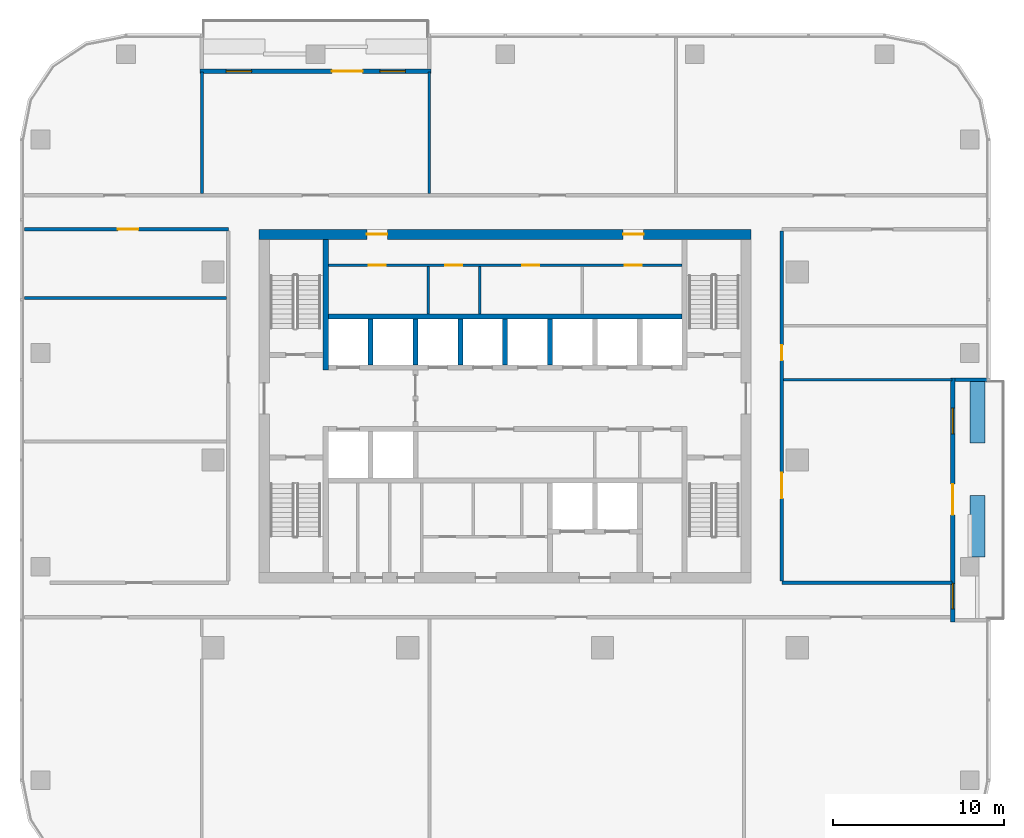
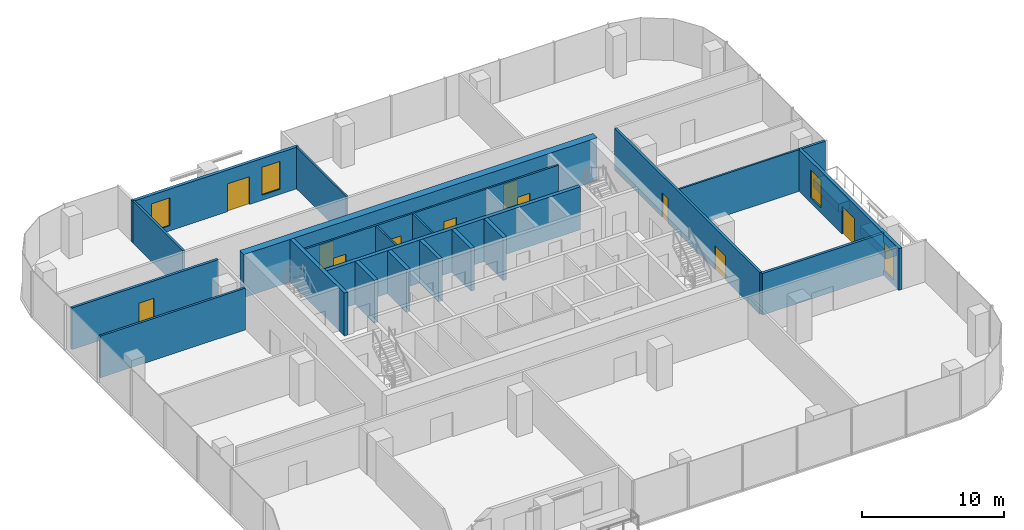
# One storey, part 9 of 14: 23 walls, 11 doors, 4 windows, 15 openings.
"""IFC4 building model written with IfcOpenShell, lengths in metres."""

from ifc_helpers import new_model, si_unit, direction, frame, frame_2d, origin, place, context, subcontext, project, spatial, rectangle, extrude, material, layer, layer_set, type_object, element, fill, save


model = new_model("IFC4")

# Units and contexts
model_context = context("Model", 3, precision=1e-05, world=origin(), true_north=direction((0.0, 1.0)))
body_context = subcontext(model_context, "Body", "Model", "MODEL_VIEW")
ifc_project = project(units=[si_unit("LENGTHUNIT", "METRE"), si_unit("AREAUNIT", "SQUARE_METRE"), si_unit("VOLUMEUNIT", "CUBIC_METRE"), si_unit("PLANEANGLEUNIT", "RADIAN"), si_unit("MASSUNIT", "GRAM", prefix="KILO")], contexts=[model_context])

# Site, building, storey
site_placement = place(None, origin())
site = spatial("IfcSite", under=ifc_project, at=site_placement, CompositionType="ELEMENT")
building_placement = place(site_placement, origin())
building = spatial("IfcBuilding", under=site, at=building_placement, Name="Mopane Tessera Tower", CompositionType="ELEMENT")
storey_placement = place(building_placement, frame((0.0, 0.0, 227.0)))
storey = spatial("IfcBuildingStorey", under=building, at=storey_placement, Name="L48", CompositionType="ELEMENT", Elevation=227.0)

# Walls
ifc_material_1 = material(Name="Fire-rated gypsum board partition")
ifc_layer_1 = layer(ifc_material_1, 0.14990234375)
ifc_layer_set_1 = layer_set([ifc_layer_1], Name="Fire-rated gypsum board partition")
wall_type_1 = type_object("IfcWallType", Name="Core room partition 150 mm", PredefinedType="PARTITIONING", material=ifc_layer_set_1)
for number, where, z_axis, x_axis, name in (
    (1, (-4.5, 8.550048828125, 0.0), (0.0, 0.0, 1.0), (0.0, 1.0, 0.0), "L48 Room partition"),
    (2, (-1.5, 8.550048828125, 0.0), (0.0, 0.0, 1.0), (0.0, 1.0, 0.0), "L48 Room partition"),
):
    element("IfcWall", number, at=place(storey_placement, frame(where, z_axis=z_axis, x_axis=x_axis)), inside=storey, type_object=wall_type_1, Name=name, PredefinedType="PARTITIONING", context=body_context, shape_type="SweptSolid", body=[
        extrude(rectangle(XDim=2.77490234375, YDim=0.14990234375, at=frame_2d((1.387451171875, 0.0))), origin(), (0.0, 0.0, 1.0), 3.699951171875),
    ])

# Wall, openings, doors
wall_1_placement = place(storey_placement, frame((-10.35009765625, 11.39990234375, 0.0), z_axis=(0.0, 0.0, 1.0), x_axis=(1.0, 0.0, 0.0)))
wall_1 = element("IfcWall", 3, at=wall_1_placement, inside=storey, type_object=wall_type_1, Name="L48 Corridor wall", PredefinedType="PARTITIONING", context=body_context, shape_type="SweptSolid", body=[
    extrude(rectangle(XDim=20.7001953125, YDim=0.14990234375, at=frame_2d((10.35009765625, 0.0))), origin(), (0.0, 0.0, 1.0), 3.699951171875),
])
opening_1_placement = place(wall_1_placement, frame((2.35009765625, 0.0, 0.0)))
opening_1 = element("IfcOpeningElement", 4, at=opening_1_placement, cuts=wall_1, Name="Opening RD1", PredefinedType="OPENING", context=body_context, shape_type="SweptSolid", body=[
    extrude(rectangle(XDim=1.0, YDim=2.10009765625, at=frame_2d((0.5, 1.050048828125))), frame((0.0, 0.0869140625, 0.0), z_axis=(0.0, -1.0, 0.0), x_axis=(1.0, 0.0, 0.0)), (0.0, 0.0, 1.0), 0.173828125),
])
opening_2_placement = place(wall_1_placement, frame((6.85009765625, 0.0, 0.0)))
opening_2 = element("IfcOpeningElement", 5, at=opening_2_placement, cuts=wall_1, Name="Opening RD1", PredefinedType="OPENING", context=body_context, shape_type="SweptSolid", body=[
    extrude(rectangle(XDim=1.0, YDim=2.10009765625, at=frame_2d((0.5, 1.050048828125))), frame((0.0, 0.0869140625, 0.0), z_axis=(0.0, -1.0, 0.0), x_axis=(1.0, 0.0, 0.0)), (0.0, 0.0, 1.0), 0.173828125),
])
opening_3_placement = place(wall_1_placement, frame((11.35009765625, 0.0, 0.0)))
opening_3 = element("IfcOpeningElement", 6, at=opening_3_placement, cuts=wall_1, Name="Opening RD1", PredefinedType="OPENING", context=body_context, shape_type="SweptSolid", body=[
    extrude(rectangle(XDim=1.0, YDim=2.10009765625, at=frame_2d((0.5, 1.050048828125))), frame((0.0, 0.0869140625, 0.0), z_axis=(0.0, -1.0, 0.0), x_axis=(1.0, 0.0, 0.0)), (0.0, 0.0, 1.0), 0.173828125),
])
opening_4_placement = place(wall_1_placement, frame((17.35009765625, 0.0, 0.0)))
opening_4 = element("IfcOpeningElement", 7, at=opening_4_placement, cuts=wall_1, Name="Opening RD1", PredefinedType="OPENING", context=body_context, shape_type="SweptSolid", body=[
    extrude(rectangle(XDim=1.0, YDim=2.10009765625, at=frame_2d((0.5, 1.050048828125))), frame((0.0, 0.0869140625, 0.0), z_axis=(0.0, -1.0, 0.0), x_axis=(1.0, 0.0, 0.0)), (0.0, 0.0, 1.0), 0.173828125),
])
ifc_material_2 = material(Name="Timber door", Category="wood")
door_type_1 = type_object("IfcDoorType", Name="Core room door 1000 x 2100", OperationType="SINGLE_SWING_LEFT", PredefinedType="DOOR", material=ifc_material_2)
door_1_placement = place(opening_1_placement, origin())
door_1 = element("IfcDoor", 8, at=door_1_placement, inside=storey, type_object=door_type_1, Name="L48 Room door", OperationType="SINGLE_SWING_LEFT", OverallHeight=2.10009765625, OverallWidth=1.0, PredefinedType="DOOR", context=body_context, shape_type="SweptSolid", body=[
    extrude(rectangle(XDim=1.0, YDim=2.10009765625, at=frame_2d((0.5, 1.050048828125))), frame((0.0, 0.02490234375, 0.0), z_axis=(0.0, -1.0, 0.0), x_axis=(1.0, 0.0, 0.0)), (0.0, 0.0, 1.0), 0.050048828125),
])
fill(opening_1, door_1)
door_2_placement = place(opening_2_placement, origin())
door_2 = element("IfcDoor", 9, at=door_2_placement, inside=storey, type_object=door_type_1, Name="L48 Room door", OperationType="SINGLE_SWING_LEFT", OverallHeight=2.10009765625, OverallWidth=1.0, PredefinedType="DOOR", context=body_context, shape_type="SweptSolid", body=[
    extrude(rectangle(XDim=1.0, YDim=2.10009765625, at=frame_2d((0.5, 1.050048828125))), frame((0.0, 0.02490234375, 0.0), z_axis=(0.0, -1.0, 0.0), x_axis=(1.0, 0.0, 0.0)), (0.0, 0.0, 1.0), 0.050048828125),
])
fill(opening_2, door_2)
door_3_placement = place(opening_3_placement, origin())
door_3 = element("IfcDoor", 10, at=door_3_placement, inside=storey, type_object=door_type_1, Name="L48 Room door", OperationType="SINGLE_SWING_LEFT", OverallHeight=2.10009765625, OverallWidth=1.0, PredefinedType="DOOR", context=body_context, shape_type="SweptSolid", body=[
    extrude(rectangle(XDim=1.0, YDim=2.10009765625, at=frame_2d((0.5, 1.050048828125))), frame((0.0, 0.02490234375, 0.0), z_axis=(0.0, -1.0, 0.0), x_axis=(1.0, 0.0, 0.0)), (0.0, 0.0, 1.0), 0.050048828125),
])
fill(opening_3, door_3)
door_4_placement = place(opening_4_placement, origin())
door_4 = element("IfcDoor", 11, at=door_4_placement, inside=storey, type_object=door_type_1, Name="L48 Room door", OperationType="SINGLE_SWING_LEFT", OverallHeight=2.10009765625, OverallWidth=1.0, PredefinedType="DOOR", context=body_context, shape_type="SweptSolid", body=[
    extrude(rectangle(XDim=1.0, YDim=2.10009765625, at=frame_2d((0.5, 1.050048828125))), frame((0.0, 0.02490234375, 0.0), z_axis=(0.0, -1.0, 0.0), x_axis=(1.0, 0.0, 0.0)), (0.0, 0.0, 1.0), 0.050048828125),
])
fill(opening_4, door_4)

ifc_material_3 = material(Name="Concrete C70/85", Category="concrete")
ifc_layer_2 = layer(ifc_material_3, 0.60009765625)
ifc_layer_set_2 = layer_set([ifc_layer_2], Name="Concrete C70/85")
wall_type_2 = type_object("IfcWallType", Name="Core shear wall 600 mm", PredefinedType="SHEAR", material=ifc_layer_set_2)
wall_2_placement = place(storey_placement, frame((-14.39990234375, 13.199951171875, 0.0), z_axis=(0.0, 0.0, 1.0), x_axis=(1.0, 0.0, 0.0)))
wall_2 = element("IfcWall", 12, at=wall_2_placement, inside=storey, type_object=wall_type_2, Name="L48 Core wall north", PredefinedType="SHEAR", context=body_context, shape_type="SweptSolid", body=[
    extrude(rectangle(XDim=28.7998046875, YDim=0.60009765625, at=frame_2d((14.39990234375, 0.0))), origin(), (0.0, 0.0, 1.0), 3.699951171875),
])
opening_5_placement = place(wall_2_placement, frame((6.300048828125, 0.0, 0.0)))
opening_5 = element("IfcOpeningElement", 13, at=opening_5_placement, cuts=wall_2, Name="Opening RD2", PredefinedType="OPENING", context=body_context, shape_type="SweptSolid", body=[
    extrude(rectangle(XDim=1.199951171875, YDim=2.10009765625, at=frame_2d((0.60009765625, 1.050048828125))), frame((0.0, 0.31201171875, 0.0), z_axis=(0.0, -1.0, 0.0), x_axis=(1.0, 0.0, 0.0)), (0.0, 0.0, 1.0), 0.6240234375),
])
opening_6_placement = place(wall_2_placement, frame((21.300048828125, 0.0, 0.0)))
opening_6 = element("IfcOpeningElement", 14, at=opening_6_placement, cuts=wall_2, Name="Opening RD2", PredefinedType="OPENING", context=body_context, shape_type="SweptSolid", body=[
    extrude(rectangle(XDim=1.199951171875, YDim=2.10009765625, at=frame_2d((0.60009765625, 1.050048828125))), frame((0.0, 0.31201171875, 0.0), z_axis=(0.0, -1.0, 0.0), x_axis=(1.0, 0.0, 0.0)), (0.0, 0.0, 1.0), 0.6240234375),
])
ifc_material_4 = material(Name="Timber door", Category="wood")
door_type_2 = type_object("IfcDoorType", Name="Core corridor door 1200 x 2100", OperationType="SINGLE_SWING_LEFT", PredefinedType="DOOR", material=ifc_material_4)
door_5_placement = place(opening_5_placement, origin())
door_5 = element("IfcDoor", 15, at=door_5_placement, inside=storey, type_object=door_type_2, Name="L48 Corridor door", OperationType="SINGLE_SWING_LEFT", OverallHeight=2.10009765625, OverallWidth=1.199951171875, PredefinedType="DOOR", context=body_context, shape_type="SweptSolid", body=[
    extrude(rectangle(XDim=1.199951171875, YDim=2.10009765625, at=frame_2d((0.60009765625, 1.050048828125))), frame((0.0, 0.02490234375, 0.0), z_axis=(0.0, -1.0, 0.0), x_axis=(1.0, 0.0, 0.0)), (0.0, 0.0, 1.0), 0.050048828125),
])
fill(opening_5, door_5)
door_6_placement = place(opening_6_placement, origin())
door_6 = element("IfcDoor", 16, at=door_6_placement, inside=storey, type_object=door_type_2, Name="L48 Corridor door", OperationType="SINGLE_SWING_RIGHT", OverallHeight=2.10009765625, OverallWidth=1.199951171875, PredefinedType="DOOR", context=body_context, shape_type="SweptSolid", body=[
    extrude(rectangle(XDim=1.199951171875, YDim=2.10009765625, at=frame_2d((0.60009765625, 1.050048828125))), frame((0.0, 0.02490234375, 0.0), z_axis=(0.0, -1.0, 0.0), x_axis=(1.0, 0.0, 0.0)), (0.0, 0.0, 1.0), 0.050048828125),
])
fill(opening_6, door_6)

# Walls
ifc_material_5 = material(Name="Concrete C60/75", Category="concrete")
ifc_layer_3 = layer(ifc_material_5, 0.300048828125)
ifc_layer_set_3 = layer_set([ifc_layer_3], Name="Concrete C60/75")
wall_type_3 = type_object("IfcWallType", Name="Core spine wall 300 mm", PredefinedType="SHEAR", material=ifc_layer_set_3)
wall_3_placement = place(storey_placement, frame((-10.5, 5.25, 0.0), z_axis=(0.0, 0.0, 1.0), x_axis=(0.0, 1.0, 0.0)))
element("IfcWall", 17, at=wall_3_placement, inside=storey, type_object=wall_type_3, Name="L48 Core spine wall", PredefinedType="SHEAR", context=body_context, shape_type="SweptSolid", body=[
    extrude(rectangle(XDim=7.64990234375, YDim=0.300048828125, at=frame_2d((3.824951171875, 0.0))), origin(), (0.0, 0.0, 1.0), 3.699951171875),
])
ifc_material_6 = material(Name="Gypsum board on staggered steel studs, double layer each face, acoustic mineral wool infill", Category="steel")
ifc_layer_4 = layer(ifc_material_6, 0.175048828125)
ifc_layer_set_4 = layer_set([ifc_layer_4], Name="Gypsum board on staggered steel studs, double layer each face, acoustic mineral wool infill")
wall_type_4 = type_object("IfcWallType", Name="Gypsum board acoustic partition 175, rated EI 60", PredefinedType="PARTITIONING", material=ifc_layer_set_4)
wall_4_placement = place(storey_placement, frame((-28.14990234375, 9.485107421875, 0.0), z_axis=(0.0, 0.0, 1.0), x_axis=(1.0, 0.0, 0.0)))
element("IfcWall", 18, at=wall_4_placement, inside=storey, type_object=wall_type_4, Name="Partition L48:006", PredefinedType="PARTITIONING", context=body_context, shape_type="SweptSolid", body=[
    extrude(rectangle(XDim=11.849853515625, YDim=0.175048828125, at=frame_2d((5.9248046875, 0.0))), origin(), (0.0, 0.0, 1.0), 3.60009765625),
])
wall_5_placement = place(storey_placement, frame((-17.760009765625, 15.60009765625, 0.0), z_axis=(0.0, 0.0, 1.0), x_axis=(0.0, 1.0, 0.0)))
element("IfcWall", 19, at=wall_5_placement, inside=storey, type_object=wall_type_4, Name="Partition L48:012", PredefinedType="PARTITIONING", context=body_context, shape_type="SweptSolid", body=[
    extrude(rectangle(XDim=7.099853515625, YDim=0.175048828125, at=frame_2d((3.5498046875, 0.0))), origin(), (0.0, 0.0, 1.0), 3.60009765625),
])
ifc_material_7 = material(Name="Gypsum board on steel studs, two layers each face, mineral wool infill", Category="steel")
ifc_layer_5 = layer(ifc_material_7, 0.199951171875)
ifc_layer_set_5 = layer_set([ifc_layer_5], Name="Gypsum board on steel studs, two layers each face, mineral wool infill")
wall_type_5 = type_object("IfcWallType", Name="Gypsum board corridor wall 200, rated EI 60", PredefinedType="PARTITIONING", material=ifc_layer_set_5)
wall_6_placement = place(storey_placement, frame((16.199951171875, -7.199951171875, 0.0), z_axis=(0.0, 0.0, 1.0), x_axis=(1.0, 0.0, 0.0)))
element("IfcWall", 20, at=wall_6_placement, inside=storey, type_object=wall_type_5, Name="Partition L48:002", PredefinedType="PARTITIONING", context=body_context, shape_type="SweptSolid", body=[
    extrude(rectangle(XDim=9.949951171875, YDim=0.199951171875, at=frame_2d((4.97509765625, 0.0))), origin(), (0.0, 0.0, 1.0), 3.60009765625),
])

# Wall, opening, door
wall_7_placement = place(storey_placement, frame((-28.14990234375, 13.5, 0.0), z_axis=(0.0, 0.0, 1.0), x_axis=(1.0, 0.0, 0.0)))
wall_7 = element("IfcWall", 21, at=wall_7_placement, inside=storey, type_object=wall_type_5, Name="Partition L48:007", PredefinedType="PARTITIONING", context=body_context, shape_type="SweptSolid", body=[
    extrude(rectangle(XDim=11.949951171875, YDim=0.199951171875, at=frame_2d((5.97509765625, 0.0))), origin(), (0.0, 0.0, 1.0), 3.60009765625),
])
opening_7_placement = place(wall_7_placement, frame((5.47509765625, 0.0, 0.0)))
opening_7 = element("IfcOpeningElement", 22, at=opening_7_placement, cuts=wall_7, Name="Opening L48-01", PredefinedType="OPENING", context=body_context, shape_type="SweptSolid", body=[
    extrude(rectangle(XDim=1.199951171875, YDim=2.10009765625, at=frame_2d((0.60009765625, 1.050048828125))), frame((0.0, 0.112060546875, 0.0), z_axis=(0.0, -1.0, 0.0), x_axis=(1.0, 0.0, 0.0)), (0.0, 0.0, 1.0), 0.223876953125),
])
ifc_material_8 = material(Name="Timber veneered steel-framed fire door", Category="steel")
door_type_3 = type_object("IfcDoorType", Name="Fire door FD60 1200 x 2100", OperationType="SINGLE_SWING_LEFT", PredefinedType="DOOR", material=ifc_material_8)
door_7_placement = place(opening_7_placement, origin())
door_7 = element("IfcDoor", 23, at=door_7_placement, inside=storey, type_object=door_type_3, Name="Door L48-01", ObjectType="D15A", OperationType="SINGLE_SWING_LEFT", OverallHeight=2.10009765625, OverallWidth=1.199951171875, PredefinedType="DOOR", context=body_context, shape_type="SweptSolid", body=[
    extrude(rectangle(XDim=1.199951171875, YDim=2.10009765625, at=frame_2d((0.60009765625, 1.050048828125))), frame((0.0, 0.02490234375, 0.0), z_axis=(0.0, -1.0, 0.0), x_axis=(1.0, 0.0, 0.0)), (0.0, 0.0, 1.0), 0.050048828125),
])
fill(opening_7, door_7)

# Wall, openings, doors
wall_8_placement = place(storey_placement, frame((16.199951171875, -7.10009765625, 0.0), z_axis=(0.0, 0.0, 1.0), x_axis=(0.0, 1.0, 0.0)))
wall_8 = element("IfcWall", 24, at=wall_8_placement, inside=storey, type_object=wall_type_5, Name="Partition L48:018", PredefinedType="PARTITIONING", context=body_context, shape_type="SweptSolid", body=[
    extrude(rectangle(XDim=20.5, YDim=0.199951171875, at=frame_2d((10.25, 0.0))), origin(), (0.0, 0.0, 1.0), 3.60009765625),
])
opening_8_placement = place(wall_8_placement, frame((4.844970703125, 0.0, 0.0)))
opening_8 = element("IfcOpeningElement", 25, at=opening_8_placement, cuts=wall_8, Name="Opening L48-05", PredefinedType="OPENING", context=body_context, shape_type="SweptSolid", body=[
    extrude(rectangle(XDim=1.5, YDim=2.10009765625, at=frame_2d((0.75, 1.050048828125))), frame((0.0, 0.112060546875, 0.0), z_axis=(0.0, -1.0, 0.0), x_axis=(1.0, 0.0, 0.0)), (0.0, 0.0, 1.0), 0.223876953125),
])
opening_9_placement = place(wall_8_placement, frame((12.922607421875, 0.0, 0.0)))
opening_9 = element("IfcOpeningElement", 26, at=opening_9_placement, cuts=wall_8, Name="Opening L48-11", PredefinedType="OPENING", context=body_context, shape_type="SweptSolid", body=[
    extrude(rectangle(XDim=0.89990234375, YDim=2.10009765625, at=frame_2d((0.449951171875, 1.050048828125))), frame((0.0, 0.112060546875, 0.0), z_axis=(0.0, -1.0, 0.0), x_axis=(1.0, 0.0, 0.0)), (0.0, 0.0, 1.0), 0.223876953125),
])
ifc_material_9 = material(Name="Timber veneered steel-framed fire door", Category="steel")
door_type_4 = type_object("IfcDoorType", Name="Fire door FD60 900 x 2100", OperationType="SINGLE_SWING_LEFT", PredefinedType="DOOR", material=ifc_material_9)
door_8_placement = place(opening_9_placement, origin())
door_8 = element("IfcDoor", 27, at=door_8_placement, inside=storey, type_object=door_type_4, Name="Door L48-11", ObjectType="D10A", OperationType="SINGLE_SWING_LEFT", OverallHeight=2.10009765625, OverallWidth=0.89990234375, PredefinedType="DOOR", context=body_context, shape_type="SweptSolid", body=[
    extrude(rectangle(XDim=0.89990234375, YDim=2.10009765625, at=frame_2d((0.449951171875, 1.050048828125))), frame((0.0, 0.02490234375, 0.0), z_axis=(0.0, -1.0, 0.0), x_axis=(1.0, 0.0, 0.0)), (0.0, 0.0, 1.0), 0.050048828125),
])
fill(opening_9, door_8)
ifc_material_10 = material(Name="Timber veneered steel-framed fire door", Category="steel")
door_type_5 = type_object("IfcDoorType", Name="Fire door pair FD60 1500 x 2100", OperationType="DOUBLE_DOOR_SINGLE_SWING", PredefinedType="DOOR", material=ifc_material_10)
door_9_placement = place(opening_8_placement, origin())
door_9 = element("IfcDoor", 28, at=door_9_placement, inside=storey, type_object=door_type_5, Name="Door L48-05", ObjectType="D17A", OperationType="DOUBLE_DOOR_SINGLE_SWING", OverallHeight=2.10009765625, OverallWidth=1.5, PredefinedType="DOOR", context=body_context, shape_type="SweptSolid", body=[
    extrude(rectangle(XDim=1.5, YDim=2.10009765625, at=frame_2d((0.75, 1.050048828125))), frame((0.0, 0.02490234375, 0.0), z_axis=(0.0, -1.0, 0.0), x_axis=(1.0, 0.0, 0.0)), (0.0, 0.0, 1.0), 0.050048828125),
])
fill(opening_8, door_9)

# Walls
ifc_material_11 = material(Name="Gypsum board on steel studs, mineral wool infill", Category="steel")
ifc_layer_6 = layer(ifc_material_11, 0.14990234375)
ifc_layer_set_6 = layer_set([ifc_layer_6], Name="Gypsum board on steel studs, mineral wool infill")
wall_type_6 = type_object("IfcWallType", Name="Gypsum board partition 150, rated EI 60", PredefinedType="PARTITIONING", material=ifc_layer_set_6)
wall_9_placement = place(storey_placement, frame((16.300048828125, 4.68994140625, 0.0), z_axis=(0.0, 0.0, 1.0), x_axis=(1.0, 0.0, 0.0)))
element("IfcWall", 29, at=wall_9_placement, inside=storey, type_object=wall_type_6, Name="Partition L48:004", PredefinedType="PARTITIONING", context=body_context, shape_type="SweptSolid", body=[
    extrude(rectangle(XDim=9.849853515625, YDim=0.14990234375, at=frame_2d((4.9248046875, 0.0))), origin(), (0.0, 0.0, 1.0), 3.60009765625),
])
wall_10_placement = place(storey_placement, frame((-4.43994140625, 15.60009765625, 0.0), z_axis=(0.0, 0.0, 1.0), x_axis=(0.0, 1.0, 0.0)))
element("IfcWall", 30, at=wall_10_placement, inside=storey, type_object=wall_type_6, Name="Partition L48:014", PredefinedType="PARTITIONING", context=body_context, shape_type="SweptSolid", body=[
    extrude(rectangle(XDim=7.099853515625, YDim=0.14990234375, at=frame_2d((3.5498046875, 0.0))), origin(), (0.0, 0.0, 1.0), 3.60009765625),
])
ifc_material_12 = material(Name="Concrete C50/60", Category="concrete")
ifc_layer_7 = layer(ifc_material_12, 0.300048828125)
ifc_layer_set_7 = layer_set([ifc_layer_7], Name="Concrete C50/60")
wall_type_7 = type_object("IfcWallType", Name="Lift and stair shaft wall 300 mm", PredefinedType="SOLIDWALL", material=ifc_layer_set_7)
wall_11_placement = place(storey_placement, frame((-10.35009765625, 8.39990234375, 0.0), z_axis=(0.0, 0.0, 1.0), x_axis=(1.0, 0.0, 0.0)))
element("IfcWall", 31, at=wall_11_placement, inside=storey, type_object=wall_type_7, Name="L48 Lift shaft rear wall", PredefinedType="SOLIDWALL", context=body_context, shape_type="SweptSolid", body=[
    extrude(rectangle(XDim=20.7001953125, YDim=0.300048828125, at=frame_2d((10.35009765625, 0.0))), origin(), (0.0, 0.0, 1.0), 3.699951171875),
])
for number, where, z_axis, x_axis, name in (
    (32, (-7.875, 5.550048828125, 0.0), (0.0, 0.0, 1.0), (0.0, 1.0, 0.0), "L48 Lift shaft wall"),
    (33, (-5.25, 5.550048828125, 0.0), (0.0, 0.0, 1.0), (0.0, 1.0, 0.0), "L48 Lift shaft wall"),
    (34, (-2.625, 5.550048828125, 0.0), (0.0, 0.0, 1.0), (0.0, 1.0, 0.0), "L48 Lift shaft wall"),
    (35, (0.0, 5.550048828125, 0.0), (0.0, 0.0, 1.0), (0.0, 1.0, 0.0), "L48 Lift shaft wall"),
    (36, (2.625, 5.550048828125, 0.0), (0.0, 0.0, 1.0), (0.0, 1.0, 0.0), "L48 Lift shaft wall"),
):
    element("IfcWall", number, at=place(storey_placement, frame(where, z_axis=z_axis, x_axis=x_axis)), inside=storey, type_object=wall_type_7, Name=name, PredefinedType="SOLIDWALL", context=body_context, shape_type="SweptSolid", body=[
        extrude(rectangle(XDim=2.699951171875, YDim=0.300048828125, at=frame_2d((1.35009765625, 0.0))), origin(), (0.0, 0.0, 1.0), 3.699951171875),
    ])
ifc_material_13 = material(Name="Reinforced concrete C32/40 with waterproofing", Category="concrete")
ifc_layer_8 = layer(ifc_material_13, 0.89990234375)
ifc_layer_set_8 = layer_set([ifc_layer_8], Name="Reinforced concrete C32/40 with waterproofing")
wall_type_8 = type_object("IfcWallType", Name="Planter trough 3600 x 900", PredefinedType="STANDARD", material=ifc_layer_set_8)
for number, where, z_axis, x_axis, name in (
    (37, (27.64990234375, -5.679931640625, 0.0), (0.0, 0.0, 1.0), (0.0, 1.0, 0.0), "e:nw:L48:N2:pl0"),
    (38, (27.64990234375, 0.987548828125, 0.0), (0.0, 0.0, 1.0), (0.0, 1.0, 0.0), "e:nw:L48:N2:pl1"),
):
    element("IfcWall", number, at=place(storey_placement, frame(where, z_axis=z_axis, x_axis=x_axis)), inside=storey, type_object=wall_type_8, Name=name, PredefinedType="STANDARD", context=body_context, shape_type="SweptSolid", body=[
        extrude(rectangle(XDim=3.599853515625, YDim=0.89990234375, at=frame_2d((1.7998046875, 0.0))), origin(), (0.0, 0.0, 1.0), 0.699951171875),
    ])
ifc_material_14 = material(Name="Blockwork with glazed tile facing", Category="masonry")
ifc_layer_9 = layer(ifc_material_14, 0.199951171875)
ifc_layer_set_9 = layer_set([ifc_layer_9], Name="Blockwork with glazed tile facing")
wall_type_9 = type_object("IfcWallType", Name="Terrace cheek wall 200", PredefinedType="STANDARD", material=ifc_layer_set_9)
wall_12_placement = place(storey_placement, frame((28.199951171875, 4.6875, 0.0), z_axis=(0.0, 0.0, 1.0), x_axis=(-1.0, 0.0, 0.0)))
element("IfcWall", 39, at=wall_12_placement, inside=storey, type_object=wall_type_9, Name="e:nw:L48:N2:cheekb", PredefinedType="STANDARD", context=body_context, shape_type="SweptSolid", body=[
    extrude(rectangle(XDim=1.875, YDim=0.199951171875, at=frame_2d((0.9375, 0.0))), origin(), (0.0, 0.0, 1.0), 3.60009765625),
])

# Wall, openings, windows, door
ifc_material_15 = material(Name="Blockwork with ultramarine glazed tile facing", Category="masonry")
ifc_layer_10 = layer(ifc_material_15, 0.25)
ifc_layer_set_10 = layer_set([ifc_layer_10], Name="Blockwork with ultramarine glazed tile facing")
wall_type_10 = type_object("IfcWallType", Name="Tile-clad external wall 250, ultramarine", PredefinedType="STANDARD", material=ifc_layer_set_10)
wall_13_placement = place(storey_placement, frame((26.199951171875, -9.47509765625, 0.0), z_axis=(0.0, 0.0, 1.0), x_axis=(0.0, 1.0, 0.0)))
wall_13 = element("IfcWall", 40, at=wall_13_placement, inside=storey, type_object=wall_type_10, Name="e:nw:L48:N2:back", PredefinedType="STANDARD", context=body_context, shape_type="SweptSolid", body=[
    extrude(rectangle(XDim=14.2626953125, YDim=0.25, at=frame_2d((7.13134765625, 0.0))), origin(), (0.0, 0.0, 1.0), 3.60009765625),
])
opening_10_placement = place(wall_13_placement, frame((0.75, 0.0, 0.449951171875)))
opening_10 = element("IfcOpeningElement", 41, at=opening_10_placement, cuts=wall_13, Name="Opening NW482A", PredefinedType="OPENING", context=body_context, shape_type="SweptSolid", body=[
    extrude(rectangle(XDim=1.5, YDim=2.39990234375, at=frame_2d((0.75, 1.199951171875))), frame((0.0, 0.136962890625, 0.0), z_axis=(0.0, -1.0, 0.0), x_axis=(1.0, 0.0, 0.0)), (0.0, 0.0, 1.0), 0.27392578125),
])
opening_11_placement = place(wall_13_placement, frame((6.25, 0.0, 0.0)))
opening_11 = element("IfcOpeningElement", 42, at=opening_11_placement, cuts=wall_13, Name="Opening ND482", PredefinedType="OPENING", context=body_context, shape_type="SweptSolid", body=[
    extrude(rectangle(XDim=1.800048828125, YDim=2.39990234375, at=frame_2d((0.89990234375, 1.199951171875))), frame((0.0, 0.136962890625, 0.0), z_axis=(0.0, -1.0, 0.0), x_axis=(1.0, 0.0, 0.0)), (0.0, 0.0, 1.0), 0.27392578125),
])
opening_12_placement = place(wall_13_placement, frame((11.0, 0.0, 0.449951171875)))
opening_12 = element("IfcOpeningElement", 43, at=opening_12_placement, cuts=wall_13, Name="Opening NW482B", PredefinedType="OPENING", context=body_context, shape_type="SweptSolid", body=[
    extrude(rectangle(XDim=1.5, YDim=2.39990234375, at=frame_2d((0.75, 1.199951171875))), frame((0.0, 0.136962890625, 0.0), z_axis=(0.0, -1.0, 0.0), x_axis=(1.0, 0.0, 0.0)), (0.0, 0.0, 1.0), 0.27392578125),
])
ifc_material_16 = material(Name="Clear laminated glass", Category="glass")
window_type = type_object("IfcWindowType", Name="Fixed window 1500 x 2400", PartitioningType="SINGLE_PANEL", PredefinedType="WINDOW", material=ifc_material_16)
window_1_placement = place(opening_10_placement, origin())
window_1 = element("IfcWindow", 44, at=window_1_placement, inside=storey, type_object=window_type, Name="e:nw:L48:N2:win0", OverallHeight=2.39990234375, OverallWidth=1.5, PartitioningType="SINGLE_PANEL", PredefinedType="WINDOW", context=body_context, shape_type="SweptSolid", body=[
    extrude(rectangle(XDim=1.5, YDim=2.39990234375, at=frame_2d((0.75, 1.199951171875))), frame((0.0, 0.030029296875, 0.0), z_axis=(0.0, -1.0, 0.0), x_axis=(1.0, 0.0, 0.0)), (0.0, 0.0, 1.0), 0.06005859375),
])
fill(opening_10, window_1)
window_2_placement = place(opening_12_placement, origin())
window_2 = element("IfcWindow", 45, at=window_2_placement, inside=storey, type_object=window_type, Name="e:nw:L48:N2:win2", OverallHeight=2.39990234375, OverallWidth=1.5, PartitioningType="SINGLE_PANEL", PredefinedType="WINDOW", context=body_context, shape_type="SweptSolid", body=[
    extrude(rectangle(XDim=1.5, YDim=2.39990234375, at=frame_2d((0.75, 1.199951171875))), frame((0.0, 0.030029296875, 0.0), z_axis=(0.0, -1.0, 0.0), x_axis=(1.0, 0.0, 0.0)), (0.0, 0.0, 1.0), 0.06005859375),
])
fill(opening_12, window_2)
ifc_material_17 = material(Name="Aluminium and clear glass", Category="aluminium")
door_type_6 = type_object("IfcDoorType", Name="Terrace double door 1800 x 2400", OperationType="DOUBLE_DOOR_SINGLE_SWING", PredefinedType="DOOR", material=ifc_material_17)
door_10_placement = place(opening_11_placement, origin())
door_10 = element("IfcDoor", 46, at=door_10_placement, inside=storey, type_object=door_type_6, Name="e:nw:L48:N2:door", ObjectType="D1", OperationType="DOUBLE_DOOR_SINGLE_SWING", OverallHeight=2.39990234375, OverallWidth=1.800048828125, PredefinedType="DOOR", context=body_context, shape_type="SweptSolid", body=[
    extrude(rectangle(XDim=1.800048828125, YDim=2.39990234375, at=frame_2d((0.89990234375, 1.199951171875))), frame((0.0, 0.02490234375, 0.0), z_axis=(0.0, -1.0, 0.0), x_axis=(1.0, 0.0, 0.0)), (0.0, 0.0, 1.0), 0.050048828125),
])
fill(opening_11, door_10)

wall_14_placement = place(storey_placement, frame((-4.340087890625, 22.75, 0.0), z_axis=(0.0, 0.0, 1.0), x_axis=(-1.0, 0.0, 0.0)))
wall_14 = element("IfcWall", 47, at=wall_14_placement, inside=storey, type_object=wall_type_10, Name="e:nw:L48:N3:back", PredefinedType="STANDARD", context=body_context, shape_type="SweptSolid", body=[
    extrude(rectangle(XDim=13.52001953125, YDim=0.25, at=frame_2d((6.760009765625, 0.0))), origin(), (0.0, 0.0, 1.0), 3.60009765625),
])
opening_13_placement = place(wall_14_placement, frame((1.5, 0.0, 0.449951171875)))
opening_13 = element("IfcOpeningElement", 48, at=opening_13_placement, cuts=wall_14, Name="Opening NW483A", PredefinedType="OPENING", context=body_context, shape_type="SweptSolid", body=[
    extrude(rectangle(XDim=1.5, YDim=2.39990234375, at=frame_2d((0.75, 1.199951171875))), frame((0.0, 0.136962890625, 0.0), z_axis=(0.0, -1.0, 0.0), x_axis=(1.0, 0.0, 0.0)), (0.0, 0.0, 1.0), 0.27392578125),
])
opening_14_placement = place(wall_14_placement, frame((4.0, 0.0, 0.0)))
opening_14 = element("IfcOpeningElement", 49, at=opening_14_placement, cuts=wall_14, Name="Opening ND483", PredefinedType="OPENING", context=body_context, shape_type="SweptSolid", body=[
    extrude(rectangle(XDim=1.800048828125, YDim=2.39990234375, at=frame_2d((0.89990234375, 1.199951171875))), frame((0.0, 0.136962890625, 0.0), z_axis=(0.0, -1.0, 0.0), x_axis=(1.0, 0.0, 0.0)), (0.0, 0.0, 1.0), 0.27392578125),
])
opening_15_placement = place(wall_14_placement, frame((10.5, 0.0, 0.449951171875)))
opening_15 = element("IfcOpeningElement", 50, at=opening_15_placement, cuts=wall_14, Name="Opening NW483B", PredefinedType="OPENING", context=body_context, shape_type="SweptSolid", body=[
    extrude(rectangle(XDim=1.5, YDim=2.39990234375, at=frame_2d((0.75, 1.199951171875))), frame((0.0, 0.136962890625, 0.0), z_axis=(0.0, -1.0, 0.0), x_axis=(1.0, 0.0, 0.0)), (0.0, 0.0, 1.0), 0.27392578125),
])
window_3_placement = place(opening_13_placement, origin())
window_3 = element("IfcWindow", 51, at=window_3_placement, inside=storey, type_object=window_type, Name="e:nw:L48:N3:win0", OverallHeight=2.39990234375, OverallWidth=1.5, PartitioningType="SINGLE_PANEL", PredefinedType="WINDOW", context=body_context, shape_type="SweptSolid", body=[
    extrude(rectangle(XDim=1.5, YDim=2.39990234375, at=frame_2d((0.75, 1.199951171875))), frame((0.0, 0.030029296875, 0.0), z_axis=(0.0, -1.0, 0.0), x_axis=(1.0, 0.0, 0.0)), (0.0, 0.0, 1.0), 0.06005859375),
])
fill(opening_13, window_3)
window_4_placement = place(opening_15_placement, origin())
window_4 = element("IfcWindow", 52, at=window_4_placement, inside=storey, type_object=window_type, Name="e:nw:L48:N3:win2", OverallHeight=2.39990234375, OverallWidth=1.5, PartitioningType="SINGLE_PANEL", PredefinedType="WINDOW", context=body_context, shape_type="SweptSolid", body=[
    extrude(rectangle(XDim=1.5, YDim=2.39990234375, at=frame_2d((0.75, 1.199951171875))), frame((0.0, 0.030029296875, 0.0), z_axis=(0.0, -1.0, 0.0), x_axis=(1.0, 0.0, 0.0)), (0.0, 0.0, 1.0), 0.06005859375),
])
fill(opening_15, window_4)
door_11_placement = place(opening_14_placement, origin())
door_11 = element("IfcDoor", 53, at=door_11_placement, inside=storey, type_object=door_type_6, Name="e:nw:L48:N3:door", ObjectType="D1", OperationType="DOUBLE_DOOR_SINGLE_SWING", OverallHeight=2.39990234375, OverallWidth=1.800048828125, PredefinedType="DOOR", context=body_context, shape_type="SweptSolid", body=[
    extrude(rectangle(XDim=1.800048828125, YDim=2.39990234375, at=frame_2d((0.89990234375, 1.199951171875))), frame((0.0, 0.02490234375, 0.0), z_axis=(0.0, -1.0, 0.0), x_axis=(1.0, 0.0, 0.0)), (0.0, 0.0, 1.0), 0.050048828125),
])
fill(opening_14, door_11)

save(model, "model.ifc")
